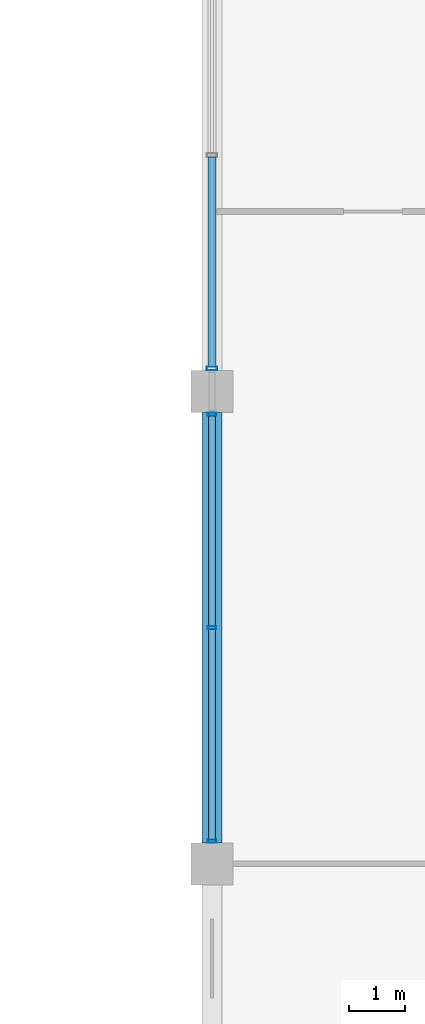
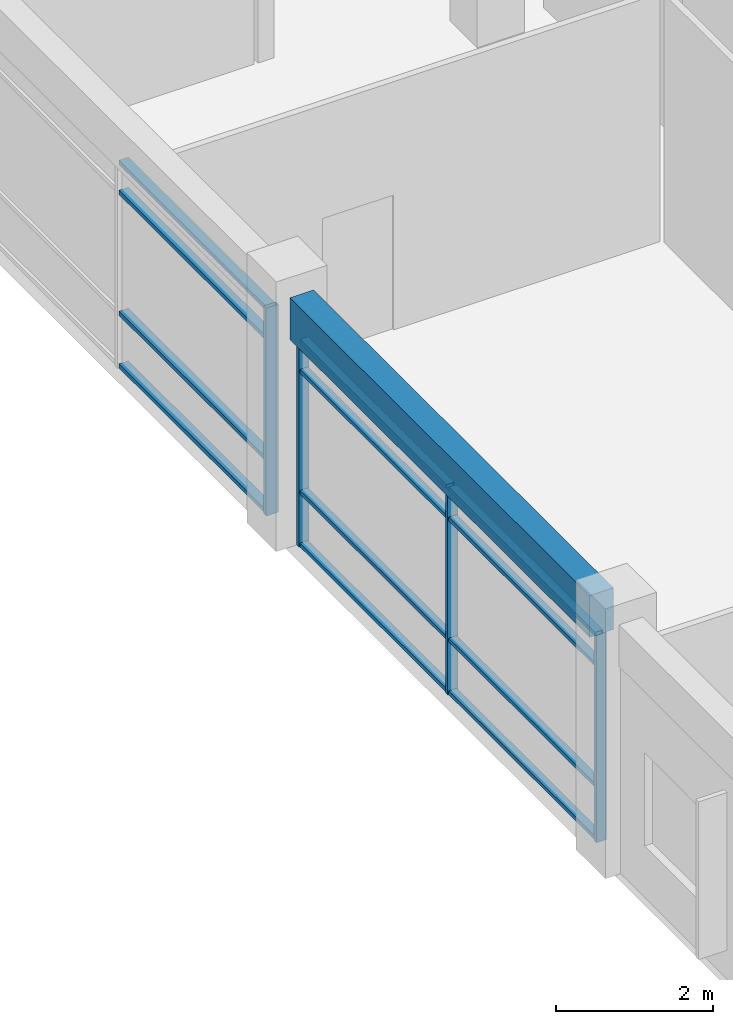
# One storey, part 20 of 53: 16 members, 1 beam, 2 elements without a shape of their own.
"""IFC4 building model written with IfcOpenShell, lengths in metres."""

from ifc_helpers import new_model, si_unit, direction, frame, origin, origin_2d, place, context, subcontext, project, spatial, rectangle, hollow_rectangle, extrude, material, material_profile, profile_set, type_object, element, aggregate, save


model = new_model("IFC4")

# Units and contexts
model_context = context("Model", 3, precision=1e-05, world=origin(), true_north=direction((0.0, 1.0)))
body_context = subcontext(model_context, "Body", "Model", "MODEL_VIEW")
ifc_project = project(units=[si_unit("LENGTHUNIT", "METRE"), si_unit("AREAUNIT", "SQUARE_METRE"), si_unit("VOLUMEUNIT", "CUBIC_METRE"), si_unit("PLANEANGLEUNIT", "RADIAN"), si_unit("MASSUNIT", "GRAM", prefix="KILO"), si_unit("THERMODYNAMICTEMPERATUREUNIT", "KELVIN"), si_unit("POWERUNIT", "WATT")], contexts=[model_context])

# Site, building, storey
site_placement = place(None, origin())
site = spatial("IfcSite", under=ifc_project, at=site_placement, CompositionType="ELEMENT")
building_placement = place(site_placement, origin())
building = spatial("IfcBuilding", under=site, at=building_placement, Name="Srebrne Nadtorze General Hospital", CompositionType="ELEMENT")
storey_placement = place(building_placement, frame((0.0, 0.0, 18.0)))
storey = spatial("IfcBuildingStorey", under=building, at=storey_placement, Name="L04", CompositionType="ELEMENT", Elevation=18.0)

# Curtain wall, members
ifc_material_1 = material(Name="Anodised Aluminium", Category="aluminium")
curtain_wall_type = type_object("IfcCurtainWallType", Name="Unitised curtain wall 7650x3235", PredefinedType="NOTDEFINED", material=ifc_material_1)
curtain_wall_1_placement = place(storey_placement, origin())
curtain_wall_1 = element("IfcCurtainWall", 1, at=curtain_wall_1_placement, inside=storey, type_object=curtain_wall_type, Name="Curtain wall CW-108", PredefinedType="NOTDEFINED")
ifc_material_2 = material(Name="Anodised Aluminium", Category="aluminium")
ifc_material_profile_1 = material_profile(ifc_material_2, hollow_rectangle(XDim=0.06005859375, YDim=0.14990234375, WallThickness=0.00390625, at=origin_2d()), Name="AL-MUL-60x150")
ifc_profile_set_1 = profile_set([ifc_material_profile_1], Name="Anodised Aluminium")
member_type_1 = type_object("IfcMemberType", Name="Curtain mullion 60x150", PredefinedType="MULLION", material=ifc_profile_set_1)
member_1_placement = place(storey_placement, frame((101.39990234375, 34.0048828125, 0.0), z_axis=(0.0, 0.0, 1.0), x_axis=(0.0, 1.0, 0.0)))
member_1 = element("IfcMember", 2, at=member_1_placement, type_object=member_type_1, Name="CW-108 mullion 1", PredefinedType="MULLION", context=body_context, shape_type="SweptSolid", body=[
    extrude(hollow_rectangle(XDim=0.06005859375, YDim=0.14990234375, WallThickness=0.00390625, at=origin_2d()), origin(), (0.0, 0.0, 1.0), 3.235107421875),
])
member_2_placement = place(storey_placement, frame((101.39990234375, 37.800048828125, 0.0), z_axis=(0.0, 0.0, 1.0), x_axis=(0.0, 1.0, 0.0)))
member_2 = element("IfcMember", 3, at=member_2_placement, type_object=member_type_1, Name="CW-108 mullion 2", PredefinedType="MULLION", context=body_context, shape_type="SweptSolid", body=[
    extrude(hollow_rectangle(XDim=0.06005859375, YDim=0.14990234375, WallThickness=0.00390625, at=origin_2d()), origin(), (0.0, 0.0, 1.0), 3.235107421875),
])
member_3_placement = place(storey_placement, frame((101.39990234375, 41.594970703125, 0.0), z_axis=(0.0, 0.0, 1.0), x_axis=(0.0, 1.0, 0.0)))
member_3 = element("IfcMember", 4, at=member_3_placement, type_object=member_type_1, Name="CW-108 mullion 3", PredefinedType="MULLION", context=body_context, shape_type="SweptSolid", body=[
    extrude(hollow_rectangle(XDim=0.06005859375, YDim=0.14990234375, WallThickness=0.00390625, at=origin_2d()), origin(), (0.0, 0.0, 1.0), 3.235107421875),
])

# Curtain wall, member
curtain_wall_2_placement = place(storey_placement, origin())
curtain_wall_2 = element("IfcCurtainWall", 5, at=curtain_wall_2_placement, inside=storey, type_object=curtain_wall_type, Name="Curtain wall CW-109", PredefinedType="NOTDEFINED")
ifc_material_3 = material(Name="Anodised Aluminium", Category="aluminium")
ifc_material_profile_2 = material_profile(ifc_material_3, hollow_rectangle(XDim=0.06494140625, YDim=0.179931640625, WallThickness=0.00390625, at=origin_2d()), Name="AL-MUL-65x180")
ifc_profile_set_2 = profile_set([ifc_material_profile_2], Name="Anodised Aluminium")
member_type_2 = type_object("IfcMemberType", Name="Curtain mullion 65x180", PredefinedType="MULLION", material=ifc_profile_set_2)
member_4_placement = place(storey_placement, frame((101.39990234375, 42.407470703125, 0.0), z_axis=(0.0, 0.0, 1.0), x_axis=(0.0, 1.0, 0.0)))
member_4 = element("IfcMember", 6, at=member_4_placement, type_object=member_type_2, Name="CW-109 mullion 1", PredefinedType="MULLION", context=body_context, shape_type="SweptSolid", body=[
    extrude(hollow_rectangle(XDim=0.06494140625, YDim=0.179931640625, WallThickness=0.00390625, at=origin_2d()), origin(), (0.0, 0.0, 1.0), 3.235107421875),
])

# Member
ifc_material_4 = material(Name="Anodised Aluminium", Category="aluminium")
ifc_material_profile_3 = material_profile(ifc_material_4, hollow_rectangle(XDim=0.06005859375, YDim=0.1201171875, WallThickness=0.00390625, at=origin_2d()), Name="AL-TRN-60x120")
ifc_profile_set_3 = profile_set([ifc_material_profile_3], Name="Anodised Aluminium")
member_type_3 = type_object("IfcMemberType", Name="Curtain transom 60x120", PredefinedType="USERDEFINED", material=ifc_profile_set_3)
member_5_placement = place(storey_placement, frame((101.39990234375, 34.034912109375, 0.030029296875), z_axis=(0.0, 1.0, 0.0), x_axis=(0.0, 0.0, 1.0)))
member_5 = element("IfcMember", 7, at=member_5_placement, type_object=member_type_3, Name="CW-108 transom 1.1", ObjectType="TRANSOM", PredefinedType="USERDEFINED", context=body_context, shape_type="SweptSolid", body=[
    extrude(hollow_rectangle(XDim=0.06005859375, YDim=0.1201171875, WallThickness=0.00390625, at=origin_2d()), origin(), (0.0, 0.0, 1.0), 3.735107421875),
])

member_6_placement = place(storey_placement, frame((101.39990234375, 34.034912109375, 0.85009765625), z_axis=(0.0, 1.0, 0.0), x_axis=(0.0, 0.0, 1.0)))
member_6 = element("IfcMember", 8, at=member_6_placement, type_object=member_type_3, Name="CW-108 transom 1.2", ObjectType="TRANSOM", PredefinedType="USERDEFINED", context=body_context, shape_type="SweptSolid", body=[
    extrude(hollow_rectangle(XDim=0.06005859375, YDim=0.1201171875, WallThickness=0.00390625, at=origin_2d()), origin(), (0.0, 0.0, 1.0), 3.735107421875),
])

member_7_placement = place(storey_placement, frame((101.39990234375, 34.034912109375, 2.735107421875), z_axis=(0.0, 1.0, 0.0), x_axis=(0.0, 0.0, 1.0)))
member_7 = element("IfcMember", 9, at=member_7_placement, type_object=member_type_3, Name="CW-108 transom 1.3", ObjectType="TRANSOM", PredefinedType="USERDEFINED", context=body_context, shape_type="SweptSolid", body=[
    extrude(hollow_rectangle(XDim=0.06005859375, YDim=0.1201171875, WallThickness=0.00390625, at=origin_2d()), origin(), (0.0, 0.0, 1.0), 3.735107421875),
])

member_8_placement = place(storey_placement, frame((101.39990234375, 34.034912109375, 3.205078125), z_axis=(0.0, 1.0, 0.0), x_axis=(0.0, 0.0, 1.0)))
member_8 = element("IfcMember", 10, at=member_8_placement, type_object=member_type_3, Name="CW-108 transom 1.4", ObjectType="TRANSOM", PredefinedType="USERDEFINED", context=body_context, shape_type="SweptSolid", body=[
    extrude(hollow_rectangle(XDim=0.06005859375, YDim=0.1201171875, WallThickness=0.00390625, at=origin_2d()), origin(), (0.0, 0.0, 1.0), 3.735107421875),
])

member_9_placement = place(storey_placement, frame((101.39990234375, 37.830078125, 0.030029296875), z_axis=(0.0, 1.0, 0.0), x_axis=(0.0, 0.0, 1.0)))
member_9 = element("IfcMember", 11, at=member_9_placement, type_object=member_type_3, Name="CW-108 transom 2.1", ObjectType="TRANSOM", PredefinedType="USERDEFINED", context=body_context, shape_type="SweptSolid", body=[
    extrude(hollow_rectangle(XDim=0.06005859375, YDim=0.1201171875, WallThickness=0.00390625, at=origin_2d()), origin(), (0.0, 0.0, 1.0), 3.73486328125),
])

member_10_placement = place(storey_placement, frame((101.39990234375, 37.830078125, 0.85009765625), z_axis=(0.0, 1.0, 0.0), x_axis=(0.0, 0.0, 1.0)))
member_10 = element("IfcMember", 12, at=member_10_placement, type_object=member_type_3, Name="CW-108 transom 2.2", ObjectType="TRANSOM", PredefinedType="USERDEFINED", context=body_context, shape_type="SweptSolid", body=[
    extrude(hollow_rectangle(XDim=0.06005859375, YDim=0.1201171875, WallThickness=0.00390625, at=origin_2d()), origin(), (0.0, 0.0, 1.0), 3.73486328125),
])

member_11_placement = place(storey_placement, frame((101.39990234375, 37.830078125, 2.735107421875), z_axis=(0.0, 1.0, 0.0), x_axis=(0.0, 0.0, 1.0)))
member_11 = element("IfcMember", 13, at=member_11_placement, type_object=member_type_3, Name="CW-108 transom 2.3", ObjectType="TRANSOM", PredefinedType="USERDEFINED", context=body_context, shape_type="SweptSolid", body=[
    extrude(hollow_rectangle(XDim=0.06005859375, YDim=0.1201171875, WallThickness=0.00390625, at=origin_2d()), origin(), (0.0, 0.0, 1.0), 3.73486328125),
])

member_12_placement = place(storey_placement, frame((101.39990234375, 37.830078125, 3.205078125), z_axis=(0.0, 1.0, 0.0), x_axis=(0.0, 0.0, 1.0)))
member_12 = element("IfcMember", 14, at=member_12_placement, type_object=member_type_3, Name="CW-108 transom 2.4", ObjectType="TRANSOM", PredefinedType="USERDEFINED", context=body_context, shape_type="SweptSolid", body=[
    extrude(hollow_rectangle(XDim=0.06005859375, YDim=0.1201171875, WallThickness=0.00390625, at=origin_2d()), origin(), (0.0, 0.0, 1.0), 3.73486328125),
])

aggregate(curtain_wall_1, [member_1, member_2, member_3, member_5, member_6, member_7, member_8, member_9, member_10, member_11, member_12])

ifc_material_5 = material(Name="Anodised Aluminium", Category="aluminium")
ifc_material_profile_4 = material_profile(ifc_material_5, hollow_rectangle(XDim=0.06494140625, YDim=0.139892578125, WallThickness=0.00390625, at=origin_2d()), Name="AL-TRN-65x140")
ifc_profile_set_4 = profile_set([ifc_material_profile_4], Name="Anodised Aluminium")
member_type_4 = type_object("IfcMemberType", Name="Curtain transom 65x140", PredefinedType="USERDEFINED", material=ifc_profile_set_4)
member_13_placement = place(storey_placement, frame((101.39990234375, 42.43994140625, 0.032470703125), z_axis=(0.0, 1.0, 0.0), x_axis=(0.0, 0.0, 1.0)))
member_13 = element("IfcMember", 15, at=member_13_placement, type_object=member_type_4, Name="CW-109 transom 1.1", ObjectType="TRANSOM", PredefinedType="USERDEFINED", context=body_context, shape_type="SweptSolid", body=[
    extrude(hollow_rectangle(XDim=0.06494140625, YDim=0.139892578125, WallThickness=0.00390625, at=origin_2d()), origin(), (0.0, 0.0, 1.0), 3.7275390625),
])

member_14_placement = place(storey_placement, frame((101.39990234375, 42.43994140625, 0.85009765625), z_axis=(0.0, 1.0, 0.0), x_axis=(0.0, 0.0, 1.0)))
member_14 = element("IfcMember", 16, at=member_14_placement, type_object=member_type_4, Name="CW-109 transom 1.2", ObjectType="TRANSOM", PredefinedType="USERDEFINED", context=body_context, shape_type="SweptSolid", body=[
    extrude(hollow_rectangle(XDim=0.06494140625, YDim=0.139892578125, WallThickness=0.00390625, at=origin_2d()), origin(), (0.0, 0.0, 1.0), 3.7275390625),
])

member_15_placement = place(storey_placement, frame((101.39990234375, 42.43994140625, 2.735107421875), z_axis=(0.0, 1.0, 0.0), x_axis=(0.0, 0.0, 1.0)))
member_15 = element("IfcMember", 17, at=member_15_placement, type_object=member_type_4, Name="CW-109 transom 1.3", ObjectType="TRANSOM", PredefinedType="USERDEFINED", context=body_context, shape_type="SweptSolid", body=[
    extrude(hollow_rectangle(XDim=0.06494140625, YDim=0.139892578125, WallThickness=0.00390625, at=origin_2d()), origin(), (0.0, 0.0, 1.0), 3.7275390625),
])

member_16_placement = place(storey_placement, frame((101.39990234375, 42.43994140625, 3.202392578125), z_axis=(0.0, 1.0, 0.0), x_axis=(0.0, 0.0, 1.0)))
member_16 = element("IfcMember", 18, at=member_16_placement, type_object=member_type_4, Name="CW-109 transom 1.4", ObjectType="TRANSOM", PredefinedType="USERDEFINED", context=body_context, shape_type="SweptSolid", body=[
    extrude(hollow_rectangle(XDim=0.06494140625, YDim=0.139892578125, WallThickness=0.00390625, at=origin_2d()), origin(), (0.0, 0.0, 1.0), 3.7275390625),
])

aggregate(curtain_wall_2, [member_4, member_13, member_14, member_15, member_16])

# Beam
ifc_material_6 = material(Name="Concrete C35/45", Category="concrete")
ifc_material_profile_5 = material_profile(ifc_material_6, rectangle(XDim=0.35009765625, YDim=0.64990234375, at=origin_2d()), Name="RC-BM-350x650")
ifc_profile_set_5 = profile_set([ifc_material_profile_5], Name="Concrete C35/45")
beam_type = type_object("IfcBeamType", Name="Edge beam RC 350x650", PredefinedType="BEAM", material=ifc_profile_set_5)
beam_placement = place(storey_placement, frame((101.39990234375, 33.97509765625, 3.56005859375), z_axis=(0.0, 1.0, 0.0), x_axis=(-1.0, 0.0, 0.0)))
element("IfcBeam", 19, at=beam_placement, inside=storey, type_object=beam_type, Name="Beam BM-L04-Y-0961", PredefinedType="BEAM", context=body_context, shape_type="SweptSolid", body=[
    extrude(rectangle(XDim=0.35009765625, YDim=0.64990234375, at=origin_2d()), origin(), (0.0, 0.0, 1.0), 7.64990234375),
])

save(model, "model.ifc")
